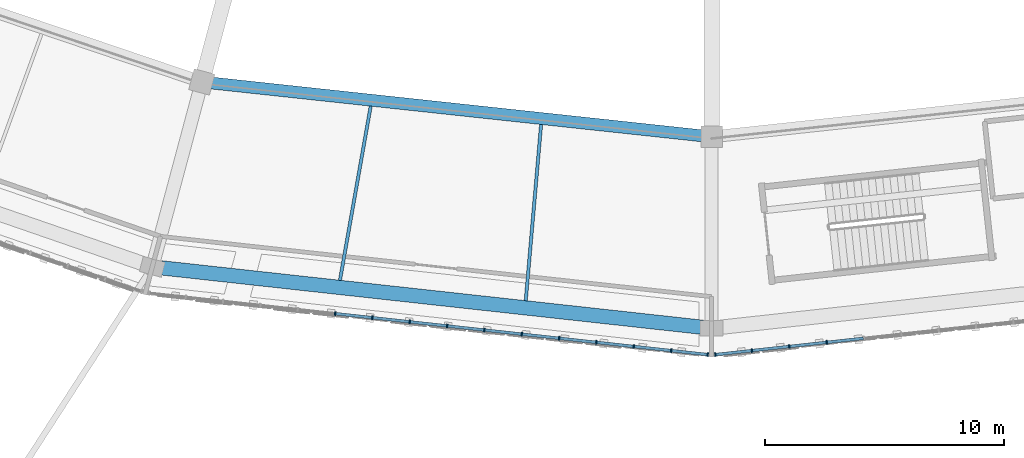
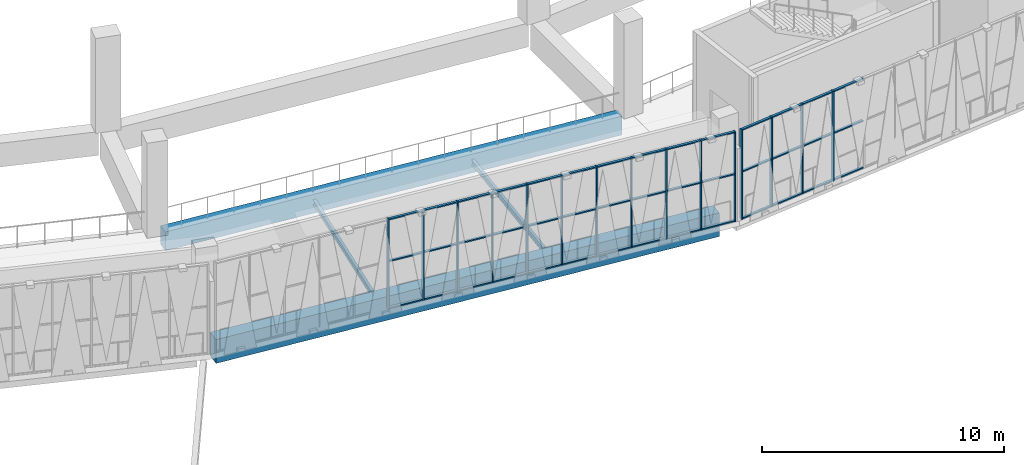
# One storey, part 9 of 108: 57 members, 4 beams, 2 elements without a shape of their own.
"""IFC4 building model written with IfcOpenShell, lengths in metres."""

from ifc_helpers import new_model, si_unit, direction, frame, origin, origin_2d, place, context, subcontext, project, spatial, rectangle, i_section, extrude, material, material_profile, profile_set, type_object, element, aggregate, save


model = new_model("IFC4")

# Units and contexts
model_context = context("Model", 3, precision=1e-05, world=origin(), true_north=direction((0.0, 1.0)))
body_context = subcontext(model_context, "Body", "Model", "MODEL_VIEW")
ifc_project = project(units=[si_unit("LENGTHUNIT", "METRE"), si_unit("AREAUNIT", "SQUARE_METRE"), si_unit("VOLUMEUNIT", "CUBIC_METRE"), si_unit("PLANEANGLEUNIT", "RADIAN"), si_unit("MASSUNIT", "GRAM", prefix="KILO")], contexts=[model_context])

# Site, building, storey
site_placement = place(None, origin())
site = spatial("IfcSite", under=ifc_project, at=site_placement, CompositionType="ELEMENT")
building_placement = place(site_placement, origin())
building = spatial("IfcBuilding", under=site, at=building_placement, Name="Zevraka Park Crest Stadium", CompositionType="ELEMENT")
storey_placement = place(building_placement, frame((0.0, 0.0, 19.800048828125)))
storey = spatial("IfcBuildingStorey", under=building, at=storey_placement, Name="L04", CompositionType="ELEMENT", Elevation=19.800048828125)

# Curtain wall, members
ifc_material_1 = material(Name="Anodised architectural aluminium and laminated safety glass", Category="aluminium")
curtain_wall_type = type_object("IfcCurtainWallType", Name="CW16", PredefinedType="NOTDEFINED", material=ifc_material_1)
curtain_wall_1_placement = place(storey_placement, origin())
curtain_wall_1 = element("IfcCurtainWall", 1, at=curtain_wall_1_placement, inside=storey, type_object=curtain_wall_type, Name="Unitised Ring Curtain Wall CW16 L04-17", PredefinedType="NOTDEFINED")
ifc_material_2 = material(Name="Anodised architectural aluminium", Category="aluminium")
ifc_material_profile_1 = material_profile(ifc_material_2, rectangle(XDim=0.159912109375, YDim=0.06005859375, at=origin_2d()), Name="ALU MULLION 160x60")
ifc_profile_set_1 = profile_set([ifc_material_profile_1], Name="Anodised architectural aluminium")
member_type_1 = type_object("IfcMemberType", Name="CM01", PredefinedType="MULLION", material=ifc_profile_set_1)
member_1_placement = place(storey_placement, frame((96.267333984375, 17.312255859375, 0.0), z_axis=(0.0, 0.0, 1.0), x_axis=(0.109405941967, 0.993997152844, 0.0)))
member_1 = element("IfcMember", 2, at=member_1_placement, type_object=member_type_1, Name="CW16 mullion 6", PredefinedType="MULLION", context=body_context, shape_type="SweptSolid", body=[
    extrude(rectangle(XDim=0.159912109375, YDim=0.06005859375, at=origin_2d()), origin(), (0.0, 0.0, 1.0), 4.5400390625),
])
member_2_placement = place(storey_placement, frame((97.82763671875, 17.140625, 0.0), z_axis=(0.0, 0.0, 1.0), x_axis=(0.109405941967, 0.993997152844, 0.0)))
member_2 = element("IfcMember", 3, at=member_2_placement, type_object=member_type_1, Name="CW16 mullion 7", PredefinedType="MULLION", context=body_context, shape_type="SweptSolid", body=[
    extrude(rectangle(XDim=0.159912109375, YDim=0.06005859375, at=origin_2d()), origin(), (0.0, 0.0, 1.0), 4.5400390625),
])
member_3_placement = place(storey_placement, frame((99.387939453125, 16.96875, 0.0), z_axis=(0.0, 0.0, 1.0), x_axis=(0.109405941967, 0.993997152844, 0.0)))
member_3 = element("IfcMember", 4, at=member_3_placement, type_object=member_type_1, Name="CW16 mullion 8", PredefinedType="MULLION", context=body_context, shape_type="SweptSolid", body=[
    extrude(rectangle(XDim=0.159912109375, YDim=0.06005859375, at=origin_2d()), origin(), (0.0, 0.0, 1.0), 4.5400390625),
])
member_4_placement = place(storey_placement, frame((100.9482421875, 16.797119140625, 0.0), z_axis=(0.0, 0.0, 1.0), x_axis=(0.109405941967, 0.993997152844, 0.0)))
member_4 = element("IfcMember", 5, at=member_4_placement, type_object=member_type_1, Name="CW16 mullion 9", PredefinedType="MULLION", context=body_context, shape_type="SweptSolid", body=[
    extrude(rectangle(XDim=0.159912109375, YDim=0.06005859375, at=origin_2d()), origin(), (0.0, 0.0, 1.0), 4.5400390625),
])
member_5_placement = place(storey_placement, frame((102.50830078125, 16.62548828125, 0.0), z_axis=(0.0, 0.0, 1.0), x_axis=(0.109405941967, 0.993997152844, 0.0)))
member_5 = element("IfcMember", 6, at=member_5_placement, type_object=member_type_1, Name="CW16 mullion 10", PredefinedType="MULLION", context=body_context, shape_type="SweptSolid", body=[
    extrude(rectangle(XDim=0.159912109375, YDim=0.06005859375, at=origin_2d()), origin(), (0.0, 0.0, 1.0), 4.5400390625),
])
member_6_placement = place(storey_placement, frame((104.068603515625, 16.45361328125, 0.0), z_axis=(0.0, 0.0, 1.0), x_axis=(0.109405941967, 0.993997152844, 0.0)))
member_6 = element("IfcMember", 7, at=member_6_placement, type_object=member_type_1, Name="CW16 mullion 11", PredefinedType="MULLION", context=body_context, shape_type="SweptSolid", body=[
    extrude(rectangle(XDim=0.159912109375, YDim=0.06005859375, at=origin_2d()), origin(), (0.0, 0.0, 1.0), 4.5400390625),
])
member_7_placement = place(storey_placement, frame((105.62890625, 16.281982421875, 0.0), z_axis=(0.0, 0.0, 1.0), x_axis=(0.109405941967, 0.993997152844, 0.0)))
member_7 = element("IfcMember", 8, at=member_7_placement, type_object=member_type_1, Name="CW16 mullion 12", PredefinedType="MULLION", context=body_context, shape_type="SweptSolid", body=[
    extrude(rectangle(XDim=0.159912109375, YDim=0.06005859375, at=origin_2d()), origin(), (0.0, 0.0, 1.0), 4.5400390625),
])
member_8_placement = place(storey_placement, frame((107.189208984375, 16.110107421875, 0.0), z_axis=(0.0, 0.0, 1.0), x_axis=(0.109405941967, 0.993997152844, 0.0)))
member_8 = element("IfcMember", 9, at=member_8_placement, type_object=member_type_1, Name="CW16 mullion 13", PredefinedType="MULLION", context=body_context, shape_type="SweptSolid", body=[
    extrude(rectangle(XDim=0.159912109375, YDim=0.06005859375, at=origin_2d()), origin(), (0.0, 0.0, 1.0), 4.5400390625),
])
member_9_placement = place(storey_placement, frame((108.74951171875, 15.9384765625, 0.0), z_axis=(0.0, 0.0, 1.0), x_axis=(0.109405941967, 0.993997152844, 0.0)))
member_9 = element("IfcMember", 10, at=member_9_placement, type_object=member_type_1, Name="CW16 mullion 14", PredefinedType="MULLION", context=body_context, shape_type="SweptSolid", body=[
    extrude(rectangle(XDim=0.159912109375, YDim=0.06005859375, at=origin_2d()), origin(), (0.0, 0.0, 1.0), 4.5400390625),
])
member_10_placement = place(storey_placement, frame((110.309814453125, 15.766845703125, 0.0), z_axis=(0.0, 0.0, 1.0), x_axis=(0.109405941967, 0.993997152844, 0.0)))
member_10 = element("IfcMember", 11, at=member_10_placement, type_object=member_type_1, Name="CW16 mullion 15", PredefinedType="MULLION", context=body_context, shape_type="SweptSolid", body=[
    extrude(rectangle(XDim=0.159912109375, YDim=0.06005859375, at=origin_2d()), origin(), (0.0, 0.0, 1.0), 4.5400390625),
])
member_11_placement = place(storey_placement, frame((111.840087890625, 15.598388671875, 0.0), z_axis=(0.0, 0.0, 1.0), x_axis=(0.109405941967, 0.993997152844, 0.0)))
member_11 = element("IfcMember", 12, at=member_11_placement, type_object=member_type_1, Name="CW16 mullion 16", PredefinedType="MULLION", context=body_context, shape_type="SweptSolid", body=[
    extrude(rectangle(XDim=0.159912109375, YDim=0.06005859375, at=origin_2d()), origin(), (0.0, 0.0, 1.0), 4.5400390625),
])

curtain_wall_2_placement = place(storey_placement, origin())
curtain_wall_2 = element("IfcCurtainWall", 13, at=curtain_wall_2_placement, inside=storey, type_object=curtain_wall_type, Name="Unitised Ring Curtain Wall CW16 L04-18", PredefinedType="NOTDEFINED")
member_12_placement = place(storey_placement, frame((112.159912109375, 15.598388671875, 0.0), z_axis=(0.0, 0.0, 1.0), x_axis=(-0.109405941967, 0.993997152844, 0.0)))
member_12 = element("IfcMember", 14, at=member_12_placement, type_object=member_type_1, Name="CW16 mullion 1", PredefinedType="MULLION", context=body_context, shape_type="SweptSolid", body=[
    extrude(rectangle(XDim=0.159912109375, YDim=0.06005859375, at=origin_2d()), origin(), (0.0, 0.0, 1.0), 4.5400390625),
])
member_13_placement = place(storey_placement, frame((113.690185546875, 15.766845703125, 0.0), z_axis=(0.0, 0.0, 1.0), x_axis=(-0.109405941967, 0.993997152844, 0.0)))
member_13 = element("IfcMember", 15, at=member_13_placement, type_object=member_type_1, Name="CW16 mullion 2", PredefinedType="MULLION", context=body_context, shape_type="SweptSolid", body=[
    extrude(rectangle(XDim=0.159912109375, YDim=0.06005859375, at=origin_2d()), origin(), (0.0, 0.0, 1.0), 4.5400390625),
])
member_14_placement = place(storey_placement, frame((115.25048828125, 15.9384765625, 0.0), z_axis=(0.0, 0.0, 1.0), x_axis=(-0.109405941967, 0.993997152844, 0.0)))
member_14 = element("IfcMember", 16, at=member_14_placement, type_object=member_type_1, Name="CW16 mullion 3", PredefinedType="MULLION", context=body_context, shape_type="SweptSolid", body=[
    extrude(rectangle(XDim=0.159912109375, YDim=0.06005859375, at=origin_2d()), origin(), (0.0, 0.0, 1.0), 4.5400390625),
])
member_15_placement = place(storey_placement, frame((116.810791015625, 16.110107421875, 0.0), z_axis=(0.0, 0.0, 1.0), x_axis=(-0.109405941967, 0.993997152844, 0.0)))
member_15 = element("IfcMember", 17, at=member_15_placement, type_object=member_type_1, Name="CW16 mullion 4", PredefinedType="MULLION", context=body_context, shape_type="SweptSolid", body=[
    extrude(rectangle(XDim=0.159912109375, YDim=0.06005859375, at=origin_2d()), origin(), (0.0, 0.0, 1.0), 4.5400390625),
])

# Member
ifc_material_3 = material(Name="Anodised architectural aluminium", Category="aluminium")
ifc_material_profile_2 = material_profile(ifc_material_3, rectangle(XDim=0.1201171875, YDim=0.06005859375, at=origin_2d()), Name="ALU TRANSOM 120x60")
ifc_profile_set_2 = profile_set([ifc_material_profile_2], Name="Anodised architectural aluminium")
member_type_2 = type_object("IfcMemberType", Name="CT01", PredefinedType="USERDEFINED", material=ifc_profile_set_2)
member_16_placement = place(storey_placement, frame((96.297119140625, 17.30908203125, 0.030029296875), z_axis=(0.993989760088, -0.109473087291, 0.0), x_axis=(0.109473087291, 0.993989760088, 0.0)))
member_16 = element("IfcMember", 18, at=member_16_placement, type_object=member_type_2, Name="CW16 transom 6.1", ObjectType="TRANSOM", PredefinedType="USERDEFINED", context=body_context, shape_type="SweptSolid", body=[
    extrude(rectangle(XDim=0.1201171875, YDim=0.06005859375, at=origin_2d()), origin(), (0.0, 0.0, 1.0), 1.509765625),
])

member_17_placement = place(storey_placement, frame((96.297119140625, 17.30908203125, 2.39990234375), z_axis=(0.993989760088, -0.109473087291, 0.0), x_axis=(0.109473087291, 0.993989760088, 0.0)))
member_17 = element("IfcMember", 19, at=member_17_placement, type_object=member_type_2, Name="CW16 transom 6.2", ObjectType="TRANSOM", PredefinedType="USERDEFINED", context=body_context, shape_type="SweptSolid", body=[
    extrude(rectangle(XDim=0.1201171875, YDim=0.06005859375, at=origin_2d()), origin(), (0.0, 0.0, 1.0), 1.509765625),
])

member_18_placement = place(storey_placement, frame((96.297119140625, 17.30908203125, 4.510009765625), z_axis=(0.993989760088, -0.109473087291, 0.0), x_axis=(0.109473087291, 0.993989760088, 0.0)))
member_18 = element("IfcMember", 20, at=member_18_placement, type_object=member_type_2, Name="CW16 transom 6.3", ObjectType="TRANSOM", PredefinedType="USERDEFINED", context=body_context, shape_type="SweptSolid", body=[
    extrude(rectangle(XDim=0.1201171875, YDim=0.06005859375, at=origin_2d()), origin(), (0.0, 0.0, 1.0), 1.509765625),
])

member_19_placement = place(storey_placement, frame((97.857421875, 17.13720703125, 0.030029296875), z_axis=(0.994007343316, -0.109313317729, 0.0), x_axis=(0.109313317729, 0.994007343316, 0.0)))
member_19 = element("IfcMember", 21, at=member_19_placement, type_object=member_type_2, Name="CW16 transom 7.1", ObjectType="TRANSOM", PredefinedType="USERDEFINED", context=body_context, shape_type="SweptSolid", body=[
    extrude(rectangle(XDim=0.1201171875, YDim=0.06005859375, at=origin_2d()), origin(), (0.0, 0.0, 1.0), 1.509765625),
])

member_20_placement = place(storey_placement, frame((97.857421875, 17.13720703125, 2.39990234375), z_axis=(0.994007343316, -0.109313317729, 0.0), x_axis=(0.109313317729, 0.994007343316, 0.0)))
member_20 = element("IfcMember", 22, at=member_20_placement, type_object=member_type_2, Name="CW16 transom 7.2", ObjectType="TRANSOM", PredefinedType="USERDEFINED", context=body_context, shape_type="SweptSolid", body=[
    extrude(rectangle(XDim=0.1201171875, YDim=0.06005859375, at=origin_2d()), origin(), (0.0, 0.0, 1.0), 1.509765625),
])

member_21_placement = place(storey_placement, frame((97.857421875, 17.13720703125, 4.510009765625), z_axis=(0.994007343316, -0.109313317729, 0.0), x_axis=(0.109313317729, 0.994007343316, 0.0)))
member_21 = element("IfcMember", 23, at=member_21_placement, type_object=member_type_2, Name="CW16 transom 7.3", ObjectType="TRANSOM", PredefinedType="USERDEFINED", context=body_context, shape_type="SweptSolid", body=[
    extrude(rectangle(XDim=0.1201171875, YDim=0.06005859375, at=origin_2d()), origin(), (0.0, 0.0, 1.0), 1.509765625),
])

member_22_placement = place(storey_placement, frame((99.417724609375, 16.965576171875, 0.030029296875), z_axis=(0.994005410559, -0.109330891236, 0.0), x_axis=(0.109330891236, 0.994005410559, 0.0)))
member_22 = element("IfcMember", 24, at=member_22_placement, type_object=member_type_2, Name="CW16 transom 8.1", ObjectType="TRANSOM", PredefinedType="USERDEFINED", context=body_context, shape_type="SweptSolid", body=[
    extrude(rectangle(XDim=0.1201171875, YDim=0.06005859375, at=origin_2d()), origin(), (0.0, 0.0, 1.0), 1.509521484375),
])

member_23_placement = place(storey_placement, frame((99.417724609375, 16.965576171875, 2.39990234375), z_axis=(0.994005410559, -0.109330891236, 0.0), x_axis=(0.109330891236, 0.994005410559, 0.0)))
member_23 = element("IfcMember", 25, at=member_23_placement, type_object=member_type_2, Name="CW16 transom 8.2", ObjectType="TRANSOM", PredefinedType="USERDEFINED", context=body_context, shape_type="SweptSolid", body=[
    extrude(rectangle(XDim=0.1201171875, YDim=0.06005859375, at=origin_2d()), origin(), (0.0, 0.0, 1.0), 1.509521484375),
])

member_24_placement = place(storey_placement, frame((99.417724609375, 16.965576171875, 4.510009765625), z_axis=(0.994005410559, -0.109330891236, 0.0), x_axis=(0.109330891236, 0.994005410559, 0.0)))
member_24 = element("IfcMember", 26, at=member_24_placement, type_object=member_type_2, Name="CW16 transom 8.3", ObjectType="TRANSOM", PredefinedType="USERDEFINED", context=body_context, shape_type="SweptSolid", body=[
    extrude(rectangle(XDim=0.1201171875, YDim=0.06005859375, at=origin_2d()), origin(), (0.0, 0.0, 1.0), 1.509521484375),
])

member_25_placement = place(storey_placement, frame((100.97802734375, 16.7939453125, 0.030029296875), z_axis=(0.993987821711, -0.10949068586, 0.0), x_axis=(0.10949068586, 0.993987821711, 0.0)))
member_25 = element("IfcMember", 27, at=member_25_placement, type_object=member_type_2, Name="CW16 transom 9.1", ObjectType="TRANSOM", PredefinedType="USERDEFINED", context=body_context, shape_type="SweptSolid", body=[
    extrude(rectangle(XDim=0.1201171875, YDim=0.06005859375, at=origin_2d()), origin(), (0.0, 0.0, 1.0), 1.509521484375),
])

member_26_placement = place(storey_placement, frame((100.97802734375, 16.7939453125, 2.39990234375), z_axis=(0.993987821711, -0.10949068586, 0.0), x_axis=(0.10949068586, 0.993987821711, 0.0)))
member_26 = element("IfcMember", 28, at=member_26_placement, type_object=member_type_2, Name="CW16 transom 9.2", ObjectType="TRANSOM", PredefinedType="USERDEFINED", context=body_context, shape_type="SweptSolid", body=[
    extrude(rectangle(XDim=0.1201171875, YDim=0.06005859375, at=origin_2d()), origin(), (0.0, 0.0, 1.0), 1.509521484375),
])

member_27_placement = place(storey_placement, frame((100.97802734375, 16.7939453125, 4.510009765625), z_axis=(0.993987821711, -0.10949068586, 0.0), x_axis=(0.10949068586, 0.993987821711, 0.0)))
member_27 = element("IfcMember", 29, at=member_27_placement, type_object=member_type_2, Name="CW16 transom 9.3", ObjectType="TRANSOM", PredefinedType="USERDEFINED", context=body_context, shape_type="SweptSolid", body=[
    extrude(rectangle(XDim=0.1201171875, YDim=0.06005859375, at=origin_2d()), origin(), (0.0, 0.0, 1.0), 1.509521484375),
])

member_28_placement = place(storey_placement, frame((102.538330078125, 16.6220703125, 0.030029296875), z_axis=(0.994005410559, -0.109330891236, 0.0), x_axis=(0.109330891236, 0.994005410559, 0.0)))
member_28 = element("IfcMember", 30, at=member_28_placement, type_object=member_type_2, Name="CW16 transom 10.1", ObjectType="TRANSOM", PredefinedType="USERDEFINED", context=body_context, shape_type="SweptSolid", body=[
    extrude(rectangle(XDim=0.1201171875, YDim=0.06005859375, at=origin_2d()), origin(), (0.0, 0.0, 1.0), 1.509521484375),
])

member_29_placement = place(storey_placement, frame((102.538330078125, 16.6220703125, 2.39990234375), z_axis=(0.994005410559, -0.109330891236, 0.0), x_axis=(0.109330891236, 0.994005410559, 0.0)))
member_29 = element("IfcMember", 31, at=member_29_placement, type_object=member_type_2, Name="CW16 transom 10.2", ObjectType="TRANSOM", PredefinedType="USERDEFINED", context=body_context, shape_type="SweptSolid", body=[
    extrude(rectangle(XDim=0.1201171875, YDim=0.06005859375, at=origin_2d()), origin(), (0.0, 0.0, 1.0), 1.509521484375),
])

member_30_placement = place(storey_placement, frame((102.538330078125, 16.6220703125, 4.510009765625), z_axis=(0.994005410559, -0.109330891236, 0.0), x_axis=(0.109330891236, 0.994005410559, 0.0)))
member_30 = element("IfcMember", 32, at=member_30_placement, type_object=member_type_2, Name="CW16 transom 10.3", ObjectType="TRANSOM", PredefinedType="USERDEFINED", context=body_context, shape_type="SweptSolid", body=[
    extrude(rectangle(XDim=0.1201171875, YDim=0.06005859375, at=origin_2d()), origin(), (0.0, 0.0, 1.0), 1.509521484375),
])

member_31_placement = place(storey_placement, frame((104.098388671875, 16.450439453125, 0.030029296875), z_axis=(0.993989760088, -0.109473087291, 0.0), x_axis=(0.109473087291, 0.993989760088, 0.0)))
member_31 = element("IfcMember", 33, at=member_31_placement, type_object=member_type_2, Name="CW16 transom 11.1", ObjectType="TRANSOM", PredefinedType="USERDEFINED", context=body_context, shape_type="SweptSolid", body=[
    extrude(rectangle(XDim=0.1201171875, YDim=0.06005859375, at=origin_2d()), origin(), (0.0, 0.0, 1.0), 1.509765625),
])

member_32_placement = place(storey_placement, frame((104.098388671875, 16.450439453125, 2.39990234375), z_axis=(0.993989760088, -0.109473087291, 0.0), x_axis=(0.109473087291, 0.993989760088, 0.0)))
member_32 = element("IfcMember", 34, at=member_32_placement, type_object=member_type_2, Name="CW16 transom 11.2", ObjectType="TRANSOM", PredefinedType="USERDEFINED", context=body_context, shape_type="SweptSolid", body=[
    extrude(rectangle(XDim=0.1201171875, YDim=0.06005859375, at=origin_2d()), origin(), (0.0, 0.0, 1.0), 1.509765625),
])

member_33_placement = place(storey_placement, frame((104.098388671875, 16.450439453125, 4.510009765625), z_axis=(0.993989760088, -0.109473087291, 0.0), x_axis=(0.109473087291, 0.993989760088, 0.0)))
member_33 = element("IfcMember", 35, at=member_33_placement, type_object=member_type_2, Name="CW16 transom 11.3", ObjectType="TRANSOM", PredefinedType="USERDEFINED", context=body_context, shape_type="SweptSolid", body=[
    extrude(rectangle(XDim=0.1201171875, YDim=0.06005859375, at=origin_2d()), origin(), (0.0, 0.0, 1.0), 1.509765625),
])

member_34_placement = place(storey_placement, frame((105.65869140625, 16.278564453125, 0.030029296875), z_axis=(0.994007343316, -0.109313317729, 0.0), x_axis=(0.109313317729, 0.994007343316, 0.0)))
member_34 = element("IfcMember", 36, at=member_34_placement, type_object=member_type_2, Name="CW16 transom 12.1", ObjectType="TRANSOM", PredefinedType="USERDEFINED", context=body_context, shape_type="SweptSolid", body=[
    extrude(rectangle(XDim=0.1201171875, YDim=0.06005859375, at=origin_2d()), origin(), (0.0, 0.0, 1.0), 1.509765625),
])

member_35_placement = place(storey_placement, frame((105.65869140625, 16.278564453125, 2.39990234375), z_axis=(0.994007343316, -0.109313317729, 0.0), x_axis=(0.109313317729, 0.994007343316, 0.0)))
member_35 = element("IfcMember", 37, at=member_35_placement, type_object=member_type_2, Name="CW16 transom 12.2", ObjectType="TRANSOM", PredefinedType="USERDEFINED", context=body_context, shape_type="SweptSolid", body=[
    extrude(rectangle(XDim=0.1201171875, YDim=0.06005859375, at=origin_2d()), origin(), (0.0, 0.0, 1.0), 1.509765625),
])

member_36_placement = place(storey_placement, frame((105.65869140625, 16.278564453125, 4.510009765625), z_axis=(0.994007343316, -0.109313317729, 0.0), x_axis=(0.109313317729, 0.994007343316, 0.0)))
member_36 = element("IfcMember", 38, at=member_36_placement, type_object=member_type_2, Name="CW16 transom 12.3", ObjectType="TRANSOM", PredefinedType="USERDEFINED", context=body_context, shape_type="SweptSolid", body=[
    extrude(rectangle(XDim=0.1201171875, YDim=0.06005859375, at=origin_2d()), origin(), (0.0, 0.0, 1.0), 1.509765625),
])

member_37_placement = place(storey_placement, frame((107.218994140625, 16.10693359375, 0.030029296875), z_axis=(0.993989760088, -0.109473087291, 0.0), x_axis=(0.109473087291, 0.993989760088, 0.0)))
member_37 = element("IfcMember", 39, at=member_37_placement, type_object=member_type_2, Name="CW16 transom 13.1", ObjectType="TRANSOM", PredefinedType="USERDEFINED", context=body_context, shape_type="SweptSolid", body=[
    extrude(rectangle(XDim=0.1201171875, YDim=0.06005859375, at=origin_2d()), origin(), (0.0, 0.0, 1.0), 1.509765625),
])

member_38_placement = place(storey_placement, frame((107.218994140625, 16.10693359375, 2.39990234375), z_axis=(0.993989760088, -0.109473087291, 0.0), x_axis=(0.109473087291, 0.993989760088, 0.0)))
member_38 = element("IfcMember", 40, at=member_38_placement, type_object=member_type_2, Name="CW16 transom 13.2", ObjectType="TRANSOM", PredefinedType="USERDEFINED", context=body_context, shape_type="SweptSolid", body=[
    extrude(rectangle(XDim=0.1201171875, YDim=0.06005859375, at=origin_2d()), origin(), (0.0, 0.0, 1.0), 1.509765625),
])

member_39_placement = place(storey_placement, frame((107.218994140625, 16.10693359375, 4.510009765625), z_axis=(0.993989760088, -0.109473087291, 0.0), x_axis=(0.109473087291, 0.993989760088, 0.0)))
member_39 = element("IfcMember", 41, at=member_39_placement, type_object=member_type_2, Name="CW16 transom 13.3", ObjectType="TRANSOM", PredefinedType="USERDEFINED", context=body_context, shape_type="SweptSolid", body=[
    extrude(rectangle(XDim=0.1201171875, YDim=0.06005859375, at=origin_2d()), origin(), (0.0, 0.0, 1.0), 1.509765625),
])

member_40_placement = place(storey_placement, frame((108.779296875, 15.935302734375, 0.030029296875), z_axis=(0.993989760088, -0.109473087291, 0.0), x_axis=(0.109473087291, 0.993989760088, 0.0)))
member_40 = element("IfcMember", 42, at=member_40_placement, type_object=member_type_2, Name="CW16 transom 14.1", ObjectType="TRANSOM", PredefinedType="USERDEFINED", context=body_context, shape_type="SweptSolid", body=[
    extrude(rectangle(XDim=0.1201171875, YDim=0.06005859375, at=origin_2d()), origin(), (0.0, 0.0, 1.0), 1.509765625),
])

member_41_placement = place(storey_placement, frame((108.779296875, 15.935302734375, 2.39990234375), z_axis=(0.993989760088, -0.109473087291, 0.0), x_axis=(0.109473087291, 0.993989760088, 0.0)))
member_41 = element("IfcMember", 43, at=member_41_placement, type_object=member_type_2, Name="CW16 transom 14.2", ObjectType="TRANSOM", PredefinedType="USERDEFINED", context=body_context, shape_type="SweptSolid", body=[
    extrude(rectangle(XDim=0.1201171875, YDim=0.06005859375, at=origin_2d()), origin(), (0.0, 0.0, 1.0), 1.509765625),
])

member_42_placement = place(storey_placement, frame((108.779296875, 15.935302734375, 4.510009765625), z_axis=(0.993989760088, -0.109473087291, 0.0), x_axis=(0.109473087291, 0.993989760088, 0.0)))
member_42 = element("IfcMember", 44, at=member_42_placement, type_object=member_type_2, Name="CW16 transom 14.3", ObjectType="TRANSOM", PredefinedType="USERDEFINED", context=body_context, shape_type="SweptSolid", body=[
    extrude(rectangle(XDim=0.1201171875, YDim=0.06005859375, at=origin_2d()), origin(), (0.0, 0.0, 1.0), 1.509765625),
])

member_43_placement = place(storey_placement, frame((110.339599609375, 15.763427734375, 0.030029296875), z_axis=(0.993997898073, -0.109399171053, 0.0), x_axis=(0.109399171053, 0.993997898073, 0.0)))
member_43 = element("IfcMember", 45, at=member_43_placement, type_object=member_type_2, Name="CW16 transom 15.1", ObjectType="TRANSOM", PredefinedType="USERDEFINED", context=body_context, shape_type="SweptSolid", body=[
    extrude(rectangle(XDim=0.1201171875, YDim=0.06005859375, at=origin_2d()), origin(), (0.0, 0.0, 1.0), 1.4794921875),
])

member_44_placement = place(storey_placement, frame((110.339599609375, 15.763427734375, 2.39990234375), z_axis=(0.993997898073, -0.109399171053, 0.0), x_axis=(0.109399171053, 0.993997898073, 0.0)))
member_44 = element("IfcMember", 46, at=member_44_placement, type_object=member_type_2, Name="CW16 transom 15.2", ObjectType="TRANSOM", PredefinedType="USERDEFINED", context=body_context, shape_type="SweptSolid", body=[
    extrude(rectangle(XDim=0.1201171875, YDim=0.06005859375, at=origin_2d()), origin(), (0.0, 0.0, 1.0), 1.4794921875),
])

member_45_placement = place(storey_placement, frame((110.339599609375, 15.763427734375, 4.510009765625), z_axis=(0.993997898073, -0.109399171053, 0.0), x_axis=(0.109399171053, 0.993997898073, 0.0)))
member_45 = element("IfcMember", 47, at=member_45_placement, type_object=member_type_2, Name="CW16 transom 15.3", ObjectType="TRANSOM", PredefinedType="USERDEFINED", context=body_context, shape_type="SweptSolid", body=[
    extrude(rectangle(XDim=0.1201171875, YDim=0.06005859375, at=origin_2d()), origin(), (0.0, 0.0, 1.0), 1.4794921875),
])

aggregate(curtain_wall_1, [member_1, member_2, member_3, member_4, member_5, member_6, member_7, member_8, member_9, member_10, member_11, member_16, member_17, member_18, member_19, member_20, member_21, member_22, member_23, member_24, member_25, member_26, member_27, member_28, member_29, member_30, member_31, member_32, member_33, member_34, member_35, member_36, member_37, member_38, member_39, member_40, member_41, member_42, member_43, member_44, member_45])

member_46_placement = place(storey_placement, frame((112.189697265625, 15.6015625, 0.030029296875), z_axis=(0.993997898073, 0.109399171053, 0.0), x_axis=(-0.109399171053, 0.993997898073, 0.0)))
member_46 = element("IfcMember", 48, at=member_46_placement, type_object=member_type_2, Name="CW16 transom 1.1", ObjectType="TRANSOM", PredefinedType="USERDEFINED", context=body_context, shape_type="SweptSolid", body=[
    extrude(rectangle(XDim=0.1201171875, YDim=0.06005859375, at=origin_2d()), origin(), (0.0, 0.0, 1.0), 1.4794921875),
])

member_47_placement = place(storey_placement, frame((112.189697265625, 15.6015625, 2.39990234375), z_axis=(0.993997898073, 0.109399171053, 0.0), x_axis=(-0.109399171053, 0.993997898073, 0.0)))
member_47 = element("IfcMember", 49, at=member_47_placement, type_object=member_type_2, Name="CW16 transom 1.2", ObjectType="TRANSOM", PredefinedType="USERDEFINED", context=body_context, shape_type="SweptSolid", body=[
    extrude(rectangle(XDim=0.1201171875, YDim=0.06005859375, at=origin_2d()), origin(), (0.0, 0.0, 1.0), 1.4794921875),
])

member_48_placement = place(storey_placement, frame((112.189697265625, 15.6015625, 4.510009765625), z_axis=(0.993997898073, 0.109399171053, 0.0), x_axis=(-0.109399171053, 0.993997898073, 0.0)))
member_48 = element("IfcMember", 50, at=member_48_placement, type_object=member_type_2, Name="CW16 transom 1.3", ObjectType="TRANSOM", PredefinedType="USERDEFINED", context=body_context, shape_type="SweptSolid", body=[
    extrude(rectangle(XDim=0.1201171875, YDim=0.06005859375, at=origin_2d()), origin(), (0.0, 0.0, 1.0), 1.4794921875),
])

member_49_placement = place(storey_placement, frame((113.719970703125, 15.77001953125, 0.030029296875), z_axis=(0.993989760088, 0.109473087291, 0.0), x_axis=(-0.109473087291, 0.993989760088, 0.0)))
member_49 = element("IfcMember", 51, at=member_49_placement, type_object=member_type_2, Name="CW16 transom 2.1", ObjectType="TRANSOM", PredefinedType="USERDEFINED", context=body_context, shape_type="SweptSolid", body=[
    extrude(rectangle(XDim=0.1201171875, YDim=0.06005859375, at=origin_2d()), origin(), (0.0, 0.0, 1.0), 1.509765625),
])

member_50_placement = place(storey_placement, frame((113.719970703125, 15.77001953125, 2.39990234375), z_axis=(0.993989760088, 0.109473087291, 0.0), x_axis=(-0.109473087291, 0.993989760088, 0.0)))
member_50 = element("IfcMember", 52, at=member_50_placement, type_object=member_type_2, Name="CW16 transom 2.2", ObjectType="TRANSOM", PredefinedType="USERDEFINED", context=body_context, shape_type="SweptSolid", body=[
    extrude(rectangle(XDim=0.1201171875, YDim=0.06005859375, at=origin_2d()), origin(), (0.0, 0.0, 1.0), 1.509765625),
])

member_51_placement = place(storey_placement, frame((113.719970703125, 15.77001953125, 4.510009765625), z_axis=(0.993989760088, 0.109473087291, 0.0), x_axis=(-0.109473087291, 0.993989760088, 0.0)))
member_51 = element("IfcMember", 53, at=member_51_placement, type_object=member_type_2, Name="CW16 transom 2.3", ObjectType="TRANSOM", PredefinedType="USERDEFINED", context=body_context, shape_type="SweptSolid", body=[
    extrude(rectangle(XDim=0.1201171875, YDim=0.06005859375, at=origin_2d()), origin(), (0.0, 0.0, 1.0), 1.509765625),
])

member_52_placement = place(storey_placement, frame((115.2802734375, 15.941650390625, 0.030029296875), z_axis=(0.993989760088, 0.109473087291, 0.0), x_axis=(-0.109473087291, 0.993989760088, 0.0)))
member_52 = element("IfcMember", 54, at=member_52_placement, type_object=member_type_2, Name="CW16 transom 3.1", ObjectType="TRANSOM", PredefinedType="USERDEFINED", context=body_context, shape_type="SweptSolid", body=[
    extrude(rectangle(XDim=0.1201171875, YDim=0.06005859375, at=origin_2d()), origin(), (0.0, 0.0, 1.0), 1.509765625),
])

member_53_placement = place(storey_placement, frame((115.2802734375, 15.941650390625, 2.39990234375), z_axis=(0.993989760088, 0.109473087291, 0.0), x_axis=(-0.109473087291, 0.993989760088, 0.0)))
member_53 = element("IfcMember", 55, at=member_53_placement, type_object=member_type_2, Name="CW16 transom 3.2", ObjectType="TRANSOM", PredefinedType="USERDEFINED", context=body_context, shape_type="SweptSolid", body=[
    extrude(rectangle(XDim=0.1201171875, YDim=0.06005859375, at=origin_2d()), origin(), (0.0, 0.0, 1.0), 1.509765625),
])

member_54_placement = place(storey_placement, frame((115.2802734375, 15.941650390625, 4.510009765625), z_axis=(0.993989760088, 0.109473087291, 0.0), x_axis=(-0.109473087291, 0.993989760088, 0.0)))
member_54 = element("IfcMember", 56, at=member_54_placement, type_object=member_type_2, Name="CW16 transom 3.3", ObjectType="TRANSOM", PredefinedType="USERDEFINED", context=body_context, shape_type="SweptSolid", body=[
    extrude(rectangle(XDim=0.1201171875, YDim=0.06005859375, at=origin_2d()), origin(), (0.0, 0.0, 1.0), 1.509765625),
])

member_55_placement = place(storey_placement, frame((116.840576171875, 16.113525390625, 0.030029296875), z_axis=(0.994007343316, 0.109313317729, 0.0), x_axis=(-0.109313317729, 0.994007343316, 0.0)))
member_55 = element("IfcMember", 57, at=member_55_placement, type_object=member_type_2, Name="CW16 transom 4.1", ObjectType="TRANSOM", PredefinedType="USERDEFINED", context=body_context, shape_type="SweptSolid", body=[
    extrude(rectangle(XDim=0.1201171875, YDim=0.06005859375, at=origin_2d()), origin(), (0.0, 0.0, 1.0), 1.509765625),
])

member_56_placement = place(storey_placement, frame((116.840576171875, 16.113525390625, 2.39990234375), z_axis=(0.994007343316, 0.109313317729, 0.0), x_axis=(-0.109313317729, 0.994007343316, 0.0)))
member_56 = element("IfcMember", 58, at=member_56_placement, type_object=member_type_2, Name="CW16 transom 4.2", ObjectType="TRANSOM", PredefinedType="USERDEFINED", context=body_context, shape_type="SweptSolid", body=[
    extrude(rectangle(XDim=0.1201171875, YDim=0.06005859375, at=origin_2d()), origin(), (0.0, 0.0, 1.0), 1.509765625),
])

member_57_placement = place(storey_placement, frame((116.840576171875, 16.113525390625, 4.510009765625), z_axis=(0.994007343316, 0.109313317729, 0.0), x_axis=(-0.109313317729, 0.994007343316, 0.0)))
member_57 = element("IfcMember", 59, at=member_57_placement, type_object=member_type_2, Name="CW16 transom 4.3", ObjectType="TRANSOM", PredefinedType="USERDEFINED", context=body_context, shape_type="SweptSolid", body=[
    extrude(rectangle(XDim=0.1201171875, YDim=0.06005859375, at=origin_2d()), origin(), (0.0, 0.0, 1.0), 1.509765625),
])

aggregate(curtain_wall_2, [member_12, member_13, member_14, member_15, member_46, member_47, member_48, member_49, member_50, member_51, member_52, member_53, member_54, member_55, member_56, member_57])

# Beams
ifc_material_4 = material(Name="Concrete C40/50", Category="concrete")
ifc_material_profile_3 = material_profile(ifc_material_4, rectangle(XDim=0.60009765625, YDim=1.199951171875, at=origin_2d()), Name="RC 1200x600")
ifc_profile_set_3 = profile_set([ifc_material_profile_3], Name="Concrete C40/50")
beam_type_1 = type_object("IfcBeamType", Name="RB01", PredefinedType="BEAM", material=ifc_profile_set_3)
beam_1_placement = place(storey_placement, frame((89.007080078125, 19.22509765625, -0.610107421875), z_axis=(0.994021150509, -0.109187693174, 0.0), x_axis=(0.109187693174, 0.994021150509, 0.0)))
element("IfcBeam", 60, at=beam_1_placement, inside=storey, type_object=beam_type_1, Name="Ring Beam RB01 L04-D-17", PredefinedType="BEAM", context=body_context, shape_type="SweptSolid", body=[
    extrude(rectangle(XDim=0.60009765625, YDim=1.199951171875, at=origin_2d()), origin(), (0.0, 0.0, 1.0), 22.7509765625),
])
ifc_material_5 = material(Name="Concrete C40/50", Category="concrete")
ifc_material_profile_4 = material_profile(ifc_material_5, rectangle(XDim=0.5, YDim=0.949951171875, at=origin_2d()), Name="RC 950x500")
ifc_profile_set_4 = profile_set([ifc_material_profile_4], Name="Concrete C40/50")
beam_type_2 = type_object("IfcBeamType", Name="RB02", PredefinedType="BEAM", material=ifc_profile_set_4)
beam_2_placement = place(storey_placement, frame((91.076904296875, 26.951904296875, -0.485107421875), z_axis=(0.994259477334, -0.106995755668, 0.0), x_axis=(0.106995755668, 0.994259477334, 0.0)))
element("IfcBeam", 61, at=beam_2_placement, inside=storey, type_object=beam_type_2, Name="Ring Beam RB02 L04-C-17", PredefinedType="BEAM", context=body_context, shape_type="SweptSolid", body=[
    extrude(rectangle(XDim=0.5, YDim=0.949951171875, at=origin_2d()), origin(), (0.0, 0.0, 1.0), 20.663818359375),
])
ifc_material_6 = material(Name="Steel S355", Category="steel")
ifc_material_profile_5 = material_profile(ifc_material_6, i_section(OverallWidth=0.135009765625, OverallDepth=0.27001953125, WebThickness=0.006591796875, FlangeThickness=0.01025390625, at=origin_2d()), Name="IPE 270")
ifc_profile_set_5 = profile_set([ifc_material_profile_5], Name="Steel S355")
beam_type_3 = type_object("IfcBeamType", Name="SJ07", PredefinedType="JOIST", material=ifc_profile_set_5)
beam_3_placement = place(storey_placement, frame((97.757080078125, 25.987060546875, -0.403076171875), z_axis=(-0.173830511429, -0.984775585246, 0.0), x_axis=(0.984775585246, -0.173830511429, 0.0)))
element("IfcBeam", 62, at=beam_3_placement, inside=storey, type_object=beam_type_3, Name="Floor Joist SJ07 L04-CD-17-1", PredefinedType="JOIST", context=body_context, shape_type="SweptSolid", body=[
    extrude(i_section(OverallWidth=0.135009765625, OverallDepth=0.27001953125, WebThickness=0.006591796875, FlangeThickness=0.01025390625, at=origin_2d()), origin(), (0.0, 0.0, 1.0), 7.398681640625),
])
beam_4_placement = place(storey_placement, frame((104.8779296875, 25.219970703125, -0.403076171875), z_axis=(-0.086881642908, -0.996218640724, 0.0), x_axis=(0.996218640724, -0.086881642908, 0.0)))
element("IfcBeam", 63, at=beam_4_placement, inside=storey, type_object=beam_type_3, Name="Floor Joist SJ07 L04-CD-17-2", PredefinedType="JOIST", context=body_context, shape_type="SweptSolid", body=[
    extrude(i_section(OverallWidth=0.135009765625, OverallDepth=0.27001953125, WebThickness=0.006591796875, FlangeThickness=0.01025390625, at=origin_2d()), origin(), (0.0, 0.0, 1.0), 7.39892578125),
])

save(model, "model.ifc")
